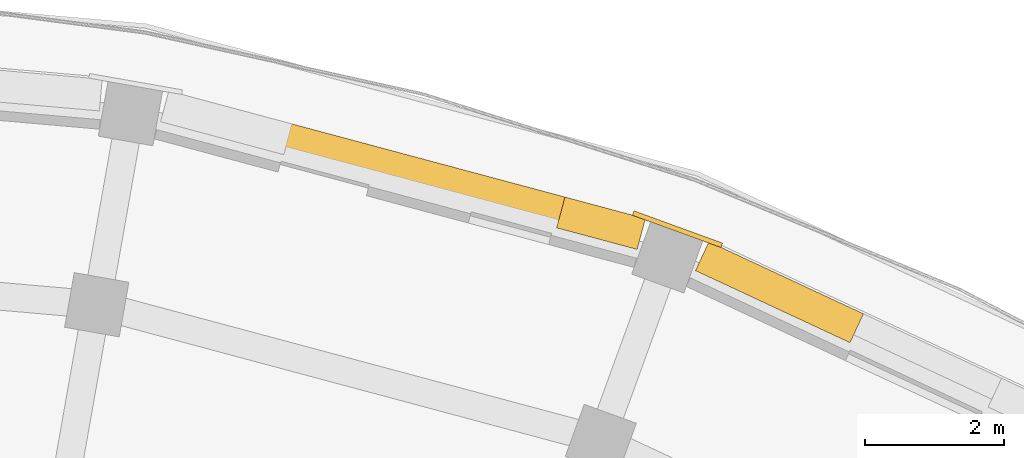
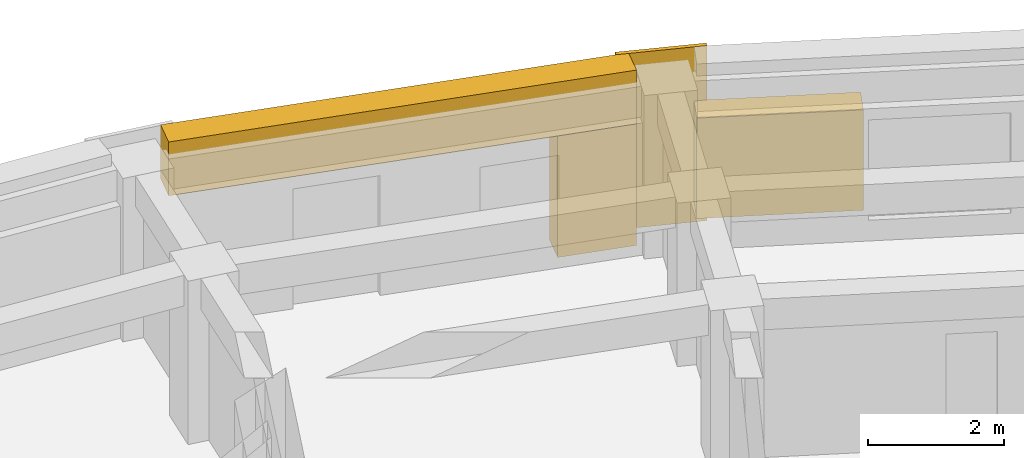
# One storey, part 54 of 54: 4 coverings.
"""IFC4 building model written with IfcOpenShell, lengths in metres."""

from ifc_helpers import new_model, si_unit, direction, frame, origin, place, context, subcontext, project, spatial, polyline, outline, extrude, material, layer, layer_set, type_object, element, save


model = new_model("IFC4")

# Units and contexts
model_context = context("Model", 3, precision=1e-05, world=origin(), true_north=direction((0.0, 1.0)))
body_context = subcontext(model_context, "Body", "Model", "MODEL_VIEW")
ifc_project = project(units=[si_unit("LENGTHUNIT", "METRE"), si_unit("AREAUNIT", "SQUARE_METRE"), si_unit("VOLUMEUNIT", "CUBIC_METRE"), si_unit("PLANEANGLEUNIT", "RADIAN"), si_unit("MASSUNIT", "GRAM", prefix="KILO")], contexts=[model_context])

# Site, building, storey
site_placement = place(None, origin())
site = spatial("IfcSite", under=ifc_project, at=site_placement, CompositionType="ELEMENT")
building_placement = place(site_placement, origin())
building = spatial("IfcBuilding", under=site, at=building_placement, Name="Kiranvali Square Residences", CompositionType="ELEMENT")
storey_placement = place(building_placement, frame((0.0, 0.0, 11.85009765625)))
storey = spatial("IfcBuildingStorey", under=building, at=storey_placement, Name="L03", CompositionType="ELEMENT", Elevation=11.85009765625)

# Coverings
ifc_material = material(Name="Honed Porbandar limestone ashlar facade cladding", Category="masonry")
ifc_layer_1 = layer(ifc_material, 0.3798828125)
ifc_layer_set_1 = layer_set([ifc_layer_1], Name="Honed Porbandar limestone ashlar facade cladding")
covering_type_1 = type_object("IfcCoveringType", Name="COV-CLAD-JAMB", PredefinedType="CLADDING", material=ifc_layer_set_1)
covering_1_placement = place(storey_placement, origin())
element("IfcCovering", 1, at=covering_1_placement, inside=storey, type_object=covering_type_1, Name="L03 deep limestone window jamb reveal B-L03-CRV-01.R", PredefinedType="CLADDING", context=body_context, shape_type="SweptSolid", body=[
    extrude(outline(polyline([(133.9384765625, 131.45361328125), (135.098388671875, 131.142822265625), (135.21728515625, 131.586669921875), (134.057373046875, 131.8974609375), (133.9384765625, 131.45361328125)])), origin(), (0.0, 0.0, 1.0), 2.179931640625),
])
covering_2_placement = place(storey_placement, frame((0.0, 0.0, 0.371826171875)))
element("IfcCovering", 2, at=covering_2_placement, inside=storey, type_object=covering_type_1, Name="L03 deep limestone window jamb reveal B-L03-CRV-02.L", PredefinedType="CLADDING", context=body_context, shape_type="SweptSolid", body=[
    extrude(outline(polyline([(135.94091796875, 130.836181640625), (138.169677734375, 129.796875), (138.364013671875, 130.21337890625), (136.13525390625, 131.252685546875), (135.94091796875, 130.836181640625)])), origin(), (0.0, 0.0, 1.0), 1.800048828125),
])
ifc_layer_2 = layer(ifc_material, 0.06494140625)
ifc_layer_set_2 = layer_set([ifc_layer_2], Name="Honed Porbandar limestone ashlar facade cladding")
covering_type_2 = type_object("IfcCoveringType", Name="COV-CLAD-PIER", PredefinedType="CLADDING", material=ifc_layer_set_2)
covering_3_placement = place(storey_placement, frame((0.0, 0.0, 0.0048828125)))
element("IfcCovering", 3, at=covering_3_placement, inside=storey, type_object=covering_type_2, Name="L03 Classical limestone corner pilaster CLAD-PR-B-L03-A02", PredefinedType="CLADDING", context=body_context, shape_type="SweptSolid", body=[
    extrude(outline(polyline([(136.33203125, 131.233154296875), (135.053955078125, 131.6982421875), (135.031005859375, 131.634765625), (136.308837890625, 131.169677734375), (136.33203125, 131.233154296875)])), origin(), (0.0, 0.0, 1.0), 3.14013671875),
])
ifc_layer_3 = layer(ifc_material, 0.360107421875)
ifc_layer_set_3 = layer_set([ifc_layer_3], Name="Honed Porbandar limestone ashlar facade cladding")
covering_type_3 = type_object("IfcCoveringType", Name="COV-CLAD-WALL", PredefinedType="CLADDING", material=ifc_layer_set_3)
covering_4_placement = place(storey_placement, frame((0.0, 0.0, 2.179931640625)))
element("IfcCovering", 4, at=covering_4_placement, inside=storey, type_object=covering_type_3, Name="L03 light limestone spandrel lintel B-L03-CRV-01", PredefinedType="CLADDING", context=body_context, shape_type="SweptSolid", body=[
    extrude(outline(polyline([(128.22265625, 132.985107421875), (135.098388671875, 131.142822265625), (135.21728515625, 131.586669921875), (128.341552734375, 133.428955078125), (128.22265625, 132.985107421875)])), origin(), (0.0, 0.0, 1.0), 0.965087890625),
])

save(model, "model.ifc")
